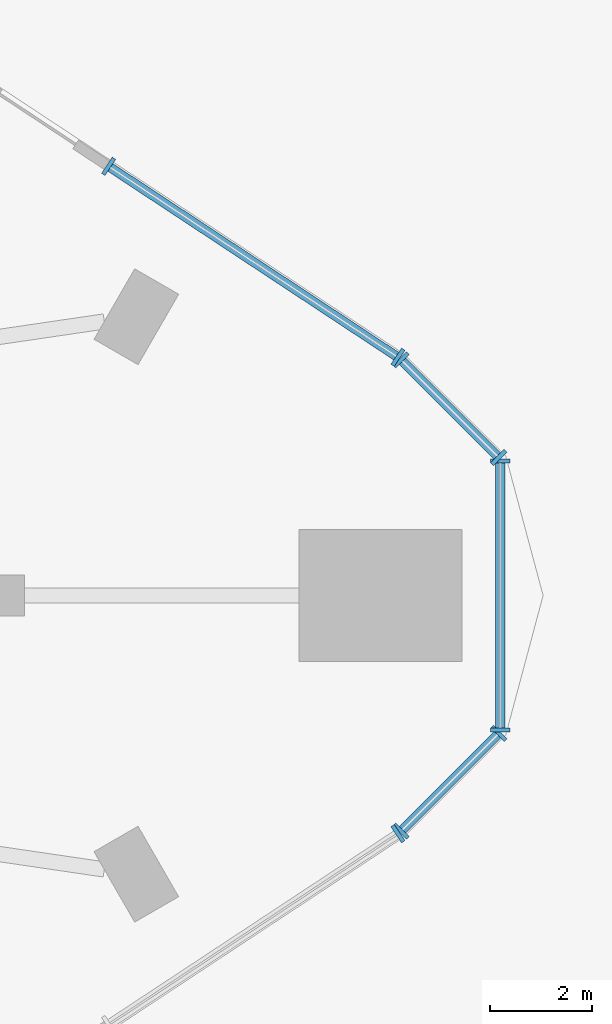
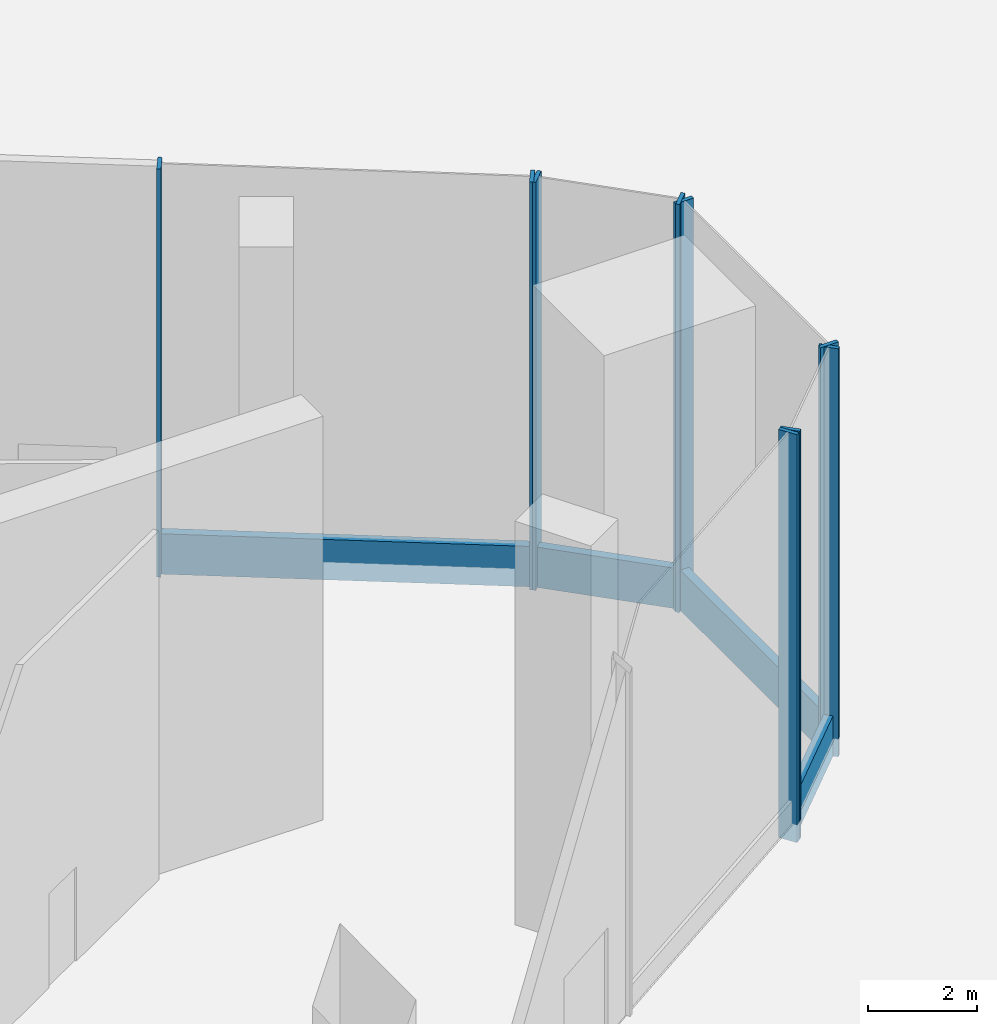
# One storey, part 7 of 22: 13 members, 5 elements without a shape of their own.
"""IFC4 building model written with IfcOpenShell, lengths in metres."""

from ifc_helpers import new_model, si_unit, direction, frame, origin, origin_2d, place, context, subcontext, project, spatial, rectangle, extrude, material, material_profile, profile_set, type_object, element, aggregate, save


model = new_model("IFC4")

# Units and contexts
model_context = context("Model", 3, precision=1e-05, world=origin(), true_north=direction((0.0, 1.0)))
body_context = subcontext(model_context, "Body", "Model", "MODEL_VIEW")
ifc_project = project(units=[si_unit("LENGTHUNIT", "METRE"), si_unit("AREAUNIT", "SQUARE_METRE"), si_unit("VOLUMEUNIT", "CUBIC_METRE"), si_unit("PLANEANGLEUNIT", "RADIAN"), si_unit("MASSUNIT", "GRAM", prefix="KILO")], contexts=[model_context])

# Site, building, storey
site_placement = place(None, origin())
site = spatial("IfcSite", under=ifc_project, at=site_placement, CompositionType="ELEMENT")
building_placement = place(site_placement, origin())
building = spatial("IfcBuilding", under=site, at=building_placement, Name="Tanit Gate Tower", CompositionType="ELEMENT")
storey_placement = place(building_placement, origin())
storey = spatial("IfcBuildingStorey", under=building, at=storey_placement, Name="L00", CompositionType="ELEMENT", Elevation=0.0)

# Curtain wall, members
ifc_material_1 = material(Name="Aluminium bronze anodised and glass", Category="aluminium")
curtain_wall_type = type_object("IfcCurtainWallType", Name="Curtain wall shopfront", PredefinedType="NOTDEFINED", material=ifc_material_1)
curtain_wall_1_placement = place(storey_placement, origin())
curtain_wall_1 = element("IfcCurtainWall", 1, at=curtain_wall_1_placement, inside=storey, type_object=curtain_wall_type, Name="Curtain wall L00 NE1a", PredefinedType="NOTDEFINED")
ifc_material_2 = material(Name="Aluminium bronze anodised", Category="aluminium")
ifc_material_profile_1 = material_profile(ifc_material_2, rectangle(XDim=0.3798828125, YDim=0.080078125, at=origin_2d()), Name="80x380 bronze mullion")
ifc_profile_set_1 = profile_set([ifc_material_profile_1], Name="Aluminium bronze anodised")
member_type_1 = type_object("IfcMemberType", Name="Mullion 80x380 shopfront", PredefinedType="MULLION", material=ifc_profile_set_1)
member_1_placement = place(storey_placement, frame((42.453857421875, 4.68798828125, -0.39990234375), z_axis=(0.0, 0.0, 1.0), x_axis=(-0.550903155031, -0.834569178545, 0.0)))
member_1 = element("IfcMember", 2, at=member_1_placement, type_object=member_type_1, Name="Mullion L00 NE1a.1", PredefinedType="MULLION", context=body_context, shape_type="SweptSolid", body=[
    extrude(rectangle(XDim=0.3798828125, YDim=0.080078125, at=origin_2d()), origin(), (0.0, 0.0, 1.0), 9.099853515625),
])
member_2_placement = place(storey_placement, frame((36.761474609375, 8.445556640625, -0.39990234375), z_axis=(0.0, 0.0, 1.0), x_axis=(-0.550903155031, -0.834569178545, 0.0)))
member_2 = element("IfcMember", 3, at=member_2_placement, type_object=member_type_1, Name="Mullion L00 NE1a.2", PredefinedType="MULLION", context=body_context, shape_type="SweptSolid", body=[
    extrude(rectangle(XDim=0.3798828125, YDim=0.080078125, at=origin_2d()), origin(), (0.0, 0.0, 1.0), 9.099853515625),
])

# Curtain wall, member
curtain_wall_2_placement = place(storey_placement, origin())
curtain_wall_2 = element("IfcCurtainWall", 4, at=curtain_wall_2_placement, inside=storey, type_object=curtain_wall_type, Name="Curtain wall L00 SE3b", PredefinedType="NOTDEFINED")
member_3_placement = place(storey_placement, frame((42.453857421875, -4.687744140625, -0.39990234375), z_axis=(0.0, 0.0, 1.0), x_axis=(-0.550730158129, 0.834683348898, 0.0)))
member_3 = element("IfcMember", 5, at=member_3_placement, type_object=member_type_1, Name="Mullion L00 SE3b.2", PredefinedType="MULLION", context=body_context, shape_type="SweptSolid", body=[
    extrude(rectangle(XDim=0.3798828125, YDim=0.080078125, at=origin_2d()), origin(), (0.0, 0.0, 1.0), 9.099853515625),
])
aggregate(curtain_wall_2, [member_3])

# Curtain wall, members
curtain_wall_3_placement = place(storey_placement, origin())
curtain_wall_3 = element("IfcCurtainWall", 6, at=curtain_wall_3_placement, inside=storey, type_object=curtain_wall_type, Name="Curtain wall L00 E.arc1", PredefinedType="NOTDEFINED")
member_4_placement = place(storey_placement, frame((42.515625, -4.637451171875, -0.39990234375), z_axis=(0.0, 0.0, 1.0), x_axis=(-0.707106781187, 0.707106781187, 0.0)))
member_4 = element("IfcMember", 7, at=member_4_placement, type_object=member_type_1, Name="Mullion L00 E.arc1.1", PredefinedType="MULLION", context=body_context, shape_type="SweptSolid", body=[
    extrude(rectangle(XDim=0.3798828125, YDim=0.080078125, at=origin_2d()), origin(), (0.0, 0.0, 1.0), 9.099853515625),
])
member_5_placement = place(storey_placement, frame((44.439208984375, -2.7138671875, -0.39990234375), z_axis=(0.0, 0.0, 1.0), x_axis=(-0.707106781187, 0.707106781187, 0.0)))
member_5 = element("IfcMember", 8, at=member_5_placement, type_object=member_type_1, Name="Mullion L00 E.arc1.2", PredefinedType="MULLION", context=body_context, shape_type="SweptSolid", body=[
    extrude(rectangle(XDim=0.3798828125, YDim=0.080078125, at=origin_2d()), origin(), (0.0, 0.0, 1.0), 9.099853515625),
])

curtain_wall_4_placement = place(storey_placement, origin())
curtain_wall_4 = element("IfcCurtainWall", 9, at=curtain_wall_4_placement, inside=storey, type_object=curtain_wall_type, Name="Curtain wall L00 E.arc2", PredefinedType="NOTDEFINED")
member_6_placement = place(storey_placement, frame((44.467529296875, -2.645751953125, -0.39990234375), z_axis=(0.0, 0.0, 1.0), x_axis=(-1.0, 0.0, 0.0)))
member_6 = element("IfcMember", 10, at=member_6_placement, type_object=member_type_1, Name="Mullion L00 E.arc2.1", PredefinedType="MULLION", context=body_context, shape_type="SweptSolid", body=[
    extrude(rectangle(XDim=0.3798828125, YDim=0.080078125, at=origin_2d()), origin(), (0.0, 0.0, 1.0), 9.099853515625),
])
member_7_placement = place(storey_placement, frame((44.467529296875, 2.645751953125, -0.39990234375), z_axis=(0.0, 0.0, 1.0), x_axis=(-1.0, 0.0, 0.0)))
member_7 = element("IfcMember", 11, at=member_7_placement, type_object=member_type_1, Name="Mullion L00 E.arc2.2", PredefinedType="MULLION", context=body_context, shape_type="SweptSolid", body=[
    extrude(rectangle(XDim=0.3798828125, YDim=0.080078125, at=origin_2d()), origin(), (0.0, 0.0, 1.0), 9.099853515625),
])

curtain_wall_5_placement = place(storey_placement, origin())
curtain_wall_5 = element("IfcCurtainWall", 12, at=curtain_wall_5_placement, inside=storey, type_object=curtain_wall_type, Name="Curtain wall L00 E.arc3", PredefinedType="NOTDEFINED")
member_8_placement = place(storey_placement, frame((44.439208984375, 2.7138671875, -0.39990234375), z_axis=(0.0, 0.0, 1.0), x_axis=(-0.707106781187, -0.707106781187, 0.0)))
member_8 = element("IfcMember", 13, at=member_8_placement, type_object=member_type_1, Name="Mullion L00 E.arc3.1", PredefinedType="MULLION", context=body_context, shape_type="SweptSolid", body=[
    extrude(rectangle(XDim=0.3798828125, YDim=0.080078125, at=origin_2d()), origin(), (0.0, 0.0, 1.0), 9.099853515625),
])
member_9_placement = place(storey_placement, frame((42.515625, 4.637451171875, -0.39990234375), z_axis=(0.0, 0.0, 1.0), x_axis=(-0.707106781187, -0.707106781187, 0.0)))
member_9 = element("IfcMember", 14, at=member_9_placement, type_object=member_type_1, Name="Mullion L00 E.arc3.2", PredefinedType="MULLION", context=body_context, shape_type="SweptSolid", body=[
    extrude(rectangle(XDim=0.3798828125, YDim=0.080078125, at=origin_2d()), origin(), (0.0, 0.0, 1.0), 9.099853515625),
])

# Member
ifc_material_3 = material(Name="Aluminium bronze anodised", Category="aluminium")
ifc_material_profile_2 = material_profile(ifc_material_3, rectangle(XDim=0.179931640625, YDim=0.89990234375, at=origin_2d()), Name="180x900 bronze transom")
ifc_profile_set_2 = profile_set([ifc_material_profile_2], Name="Aluminium bronze anodised")
member_type_2 = type_object("IfcMemberType", Name="Transom 180x900 shopfront", PredefinedType="USERDEFINED", material=ifc_profile_set_2)
member_10_placement = place(storey_placement, frame((42.42041015625, 4.7099609375, 0.050048828125), z_axis=(-0.834571439118, 0.550899730448, 0.0), x_axis=(-0.550899730448, -0.834571439118, 0.0)))
member_10 = element("IfcMember", 15, at=member_10_placement, type_object=member_type_2, Name="Transom L00 NE1a.1", ObjectType="TRANSOM", PredefinedType="USERDEFINED", context=body_context, shape_type="SweptSolid", body=[
    extrude(rectangle(XDim=0.179931640625, YDim=0.89990234375, at=origin_2d()), origin(), (0.0, 0.0, 1.0), 6.740478515625),
])

aggregate(curtain_wall_1, [member_1, member_2, member_10])

member_11_placement = place(storey_placement, frame((42.543701171875, -4.609375, 0.050048828125), z_axis=(0.707106781187, 0.707106781187, 0.0), x_axis=(-0.707106781187, 0.707106781187, 0.0)))
member_11 = element("IfcMember", 16, at=member_11_placement, type_object=member_type_2, Name="Transom L00 E.arc1.1", ObjectType="TRANSOM", PredefinedType="USERDEFINED", context=body_context, shape_type="SweptSolid", body=[
    extrude(rectangle(XDim=0.179931640625, YDim=0.89990234375, at=origin_2d()), origin(), (0.0, 0.0, 1.0), 2.640625),
])

aggregate(curtain_wall_3, [member_4, member_5, member_11])

member_12_placement = place(storey_placement, frame((44.467529296875, -2.605712890625, 0.050048828125), z_axis=(0.0, 1.0, 0.0), x_axis=(-1.0, 0.0, 0.0)))
member_12 = element("IfcMember", 17, at=member_12_placement, type_object=member_type_2, Name="Transom L00 E.arc2.1", ObjectType="TRANSOM", PredefinedType="USERDEFINED", context=body_context, shape_type="SweptSolid", body=[
    extrude(rectangle(XDim=0.179931640625, YDim=0.89990234375, at=origin_2d()), origin(), (0.0, 0.0, 1.0), 5.21142578125),
])

aggregate(curtain_wall_4, [member_6, member_7, member_12])

member_13_placement = place(storey_placement, frame((44.410888671875, 2.7421875, 0.050048828125), z_axis=(-0.707106781187, 0.707106781187, 0.0), x_axis=(-0.707106781187, -0.707106781187, 0.0)))
member_13 = element("IfcMember", 18, at=member_13_placement, type_object=member_type_2, Name="Transom L00 E.arc3.1", ObjectType="TRANSOM", PredefinedType="USERDEFINED", context=body_context, shape_type="SweptSolid", body=[
    extrude(rectangle(XDim=0.179931640625, YDim=0.89990234375, at=origin_2d()), origin(), (0.0, 0.0, 1.0), 2.640625),
])

aggregate(curtain_wall_5, [member_8, member_9, member_13])

save(model, "model.ifc")
